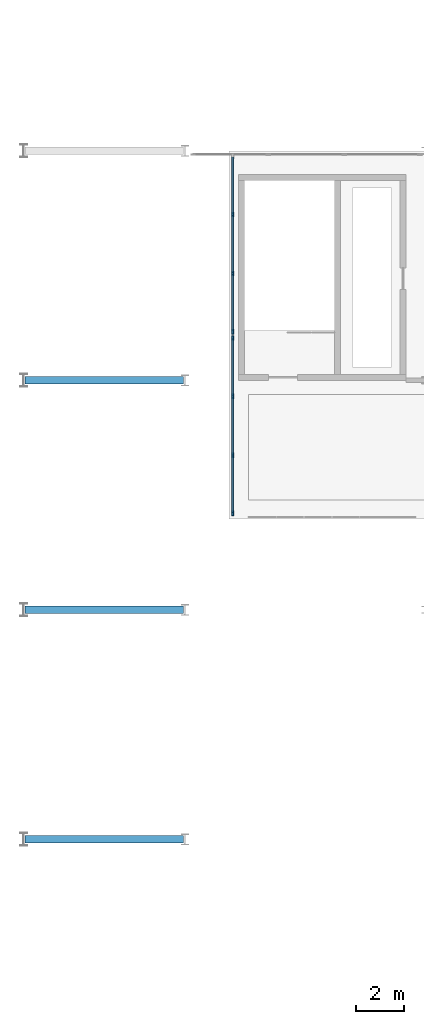
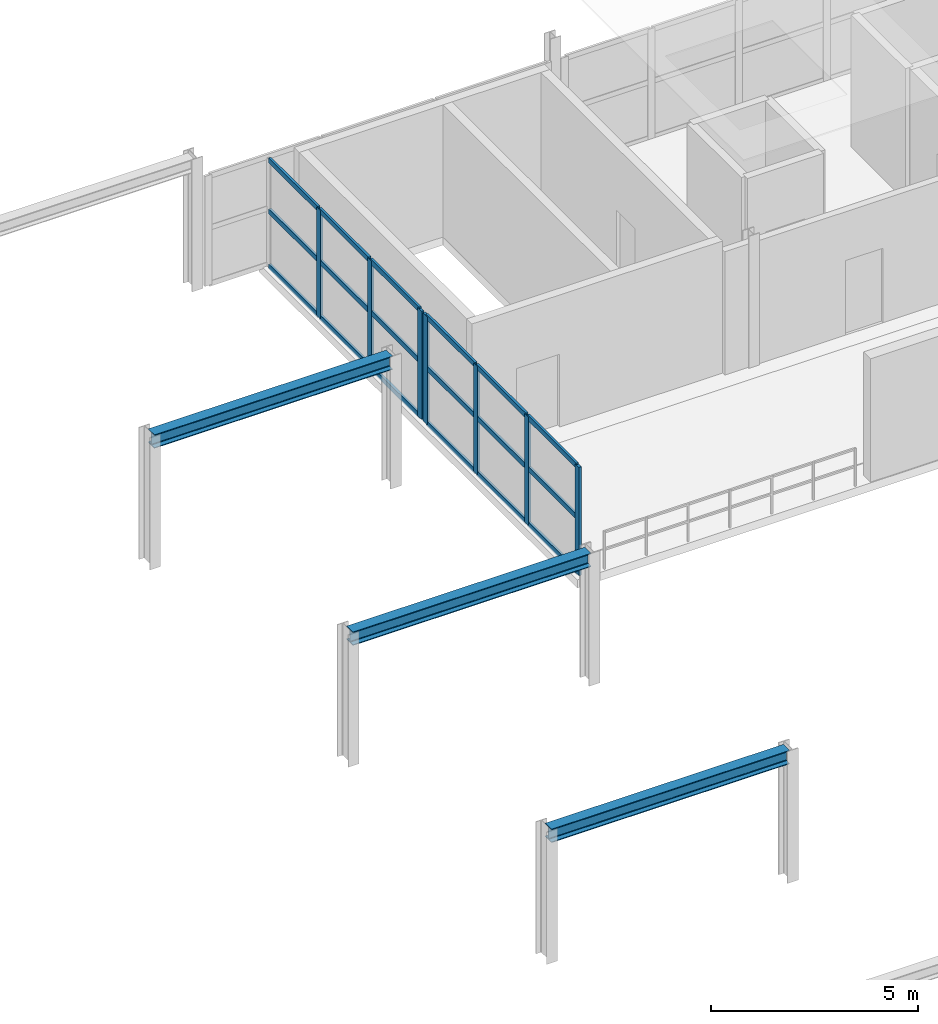
# One storey, part 20 of 52: 25 members, 3 beams, 2 elements without a shape of their own.
"""IFC4 building model written with IfcOpenShell, lengths in metres."""

from ifc_helpers import new_model, si_unit, direction, frame, origin, origin_2d, place, context, subcontext, project, spatial, rectangle, i_section, extrude, material, layer, layer_set, material_profile, profile_set, type_object, element, aggregate, save


model = new_model("IFC4")

# Units and contexts
model_context = context("Model", 3, precision=1e-05, world=origin(), true_north=direction((0.0, 1.0)))
body_context = subcontext(model_context, "Body", "Model", "MODEL_VIEW")
ifc_project = project(units=[si_unit("LENGTHUNIT", "METRE"), si_unit("AREAUNIT", "SQUARE_METRE"), si_unit("VOLUMEUNIT", "CUBIC_METRE"), si_unit("PLANEANGLEUNIT", "RADIAN"), si_unit("MASSUNIT", "GRAM", prefix="KILO")], contexts=[model_context])

# Site, building, storey
site_placement = place(None, origin())
site = spatial("IfcSite", under=ifc_project, at=site_placement, CompositionType="ELEMENT")
building_placement = place(site_placement, origin())
building = spatial("IfcBuilding", under=site, at=building_placement, Name="Myrtia Square Station", CompositionType="ELEMENT")
storey_placement = place(building_placement, frame((0.0, 0.0, 15.0)))
storey = spatial("IfcBuildingStorey", under=building, at=storey_placement, Name="L03", CompositionType="ELEMENT", Elevation=15.0)

# Beams
ifc_material_1 = material(Name="Steel S355", Category="steel")
ifc_material_profile_1 = material_profile(ifc_material_1, i_section(OverallWidth=0.300048828125, OverallDepth=0.39990234375, WebThickness=0.013427734375, FlangeThickness=0.02392578125, FilletRadius=0.027099609375, at=origin_2d()), Name="HEB 400")
ifc_profile_set_1 = profile_set([ifc_material_profile_1], Name="Steel S355")
beam_type = type_object("IfcBeamType", Name="BM-HEB400", PredefinedType="BEAM", material=ifc_profile_set_1)
for number, where, z_axis, x_axis, name in (
    (1, (72.64990234375, 67.199951171875, 3.64990234375), (1.0, 0.0, 0.0), (0.0, 1.0, 0.0), "Colonnade overhang tie beam 015"),
    (2, (72.64990234375, 76.800048828125, 3.64990234375), (1.0, 0.0, 0.0), (0.0, 1.0, 0.0), "Colonnade overhang tie beam 019"),
    (3, (72.64990234375, 86.39990234375, 3.64990234375), (1.0, 0.0, 0.0), (0.0, 1.0, 0.0), "Colonnade overhang tie beam 023"),
):
    element("IfcBeam", number, at=place(storey_placement, frame(where, z_axis=z_axis, x_axis=x_axis)), inside=storey, type_object=beam_type, Name=name, PredefinedType="BEAM", context=body_context, shape_type="SweptSolid", body=[
        extrude(i_section(OverallWidth=0.300048828125, OverallDepth=0.39990234375, WebThickness=0.013427734375, FlangeThickness=0.02392578125, FilletRadius=0.027099609375, at=origin_2d()), origin(), (0.0, 0.0, 1.0), 6.650146484375),
    ])

# Curtain wall, members
ifc_material_2 = material(Name="Dark bronze anodised aluminium", Category="aluminium")
ifc_layer = layer(ifc_material_2, 0.159912109375, Name="Dark bronze anodised aluminium")
ifc_layer_set = layer_set([ifc_layer], Name="Dark bronze anodised aluminium")
curtain_wall_type = type_object("IfcCurtainWallType", Name="CW-TYPE-07-740x320", PredefinedType="USERDEFINED", material=ifc_layer_set)
curtain_wall_1_placement = place(storey_placement, origin())
curtain_wall_1 = element("IfcCurtainWall", 4, at=curtain_wall_1_placement, inside=storey, type_object=curtain_wall_type, Name="Concourse curtain wall CW-L03-037", ObjectType="CONCOURSE CURTAIN WALL", PredefinedType="USERDEFINED")
ifc_material_profile_2 = material_profile(ifc_material_2, rectangle(XDim=0.06494140625, YDim=0.199951171875, at=origin_2d()), Name="ALU-M 65x200")
ifc_profile_set_2 = profile_set([ifc_material_profile_2], Name="Dark bronze anodised aluminium")
member_type_1 = type_object("IfcMemberType", Name="CWM-65x200", PredefinedType="MULLION", material=ifc_profile_set_2)
member_1_placement = place(storey_placement, frame((81.35009765625, 80.83251953125, 0.0), z_axis=(0.0, 0.0, 1.0), x_axis=(-1.0, 0.0, 0.0)))
member_1 = element("IfcMember", 5, at=member_1_placement, type_object=member_type_1, Name="CW-037 mullion 1", PredefinedType="MULLION", context=body_context, shape_type="SweptSolid", body=[
    extrude(rectangle(XDim=0.06494140625, YDim=0.199951171875, at=origin_2d()), origin(), (0.0, 0.0, 1.0), 3.199951171875),
])
member_2_placement = place(storey_placement, frame((81.35009765625, 83.2666015625, 0.0), z_axis=(0.0, 0.0, 1.0), x_axis=(-1.0, 0.0, 0.0)))
member_2 = element("IfcMember", 6, at=member_2_placement, type_object=member_type_1, Name="CW-037 mullion 2", PredefinedType="MULLION", context=body_context, shape_type="SweptSolid", body=[
    extrude(rectangle(XDim=0.06494140625, YDim=0.199951171875, at=origin_2d()), origin(), (0.0, 0.0, 1.0), 3.199951171875),
])
member_3_placement = place(storey_placement, frame((81.35009765625, 85.7333984375, 0.0), z_axis=(0.0, 0.0, 1.0), x_axis=(-1.0, 0.0, 0.0)))
member_3 = element("IfcMember", 7, at=member_3_placement, type_object=member_type_1, Name="CW-037 mullion 3", PredefinedType="MULLION", context=body_context, shape_type="SweptSolid", body=[
    extrude(rectangle(XDim=0.06494140625, YDim=0.199951171875, at=origin_2d()), origin(), (0.0, 0.0, 1.0), 3.199951171875),
])
member_4_placement = place(storey_placement, frame((81.35009765625, 88.16748046875, 0.0), z_axis=(0.0, 0.0, 1.0), x_axis=(-1.0, 0.0, 0.0)))
member_4 = element("IfcMember", 8, at=member_4_placement, type_object=member_type_1, Name="CW-037 mullion 4", PredefinedType="MULLION", context=body_context, shape_type="SweptSolid", body=[
    extrude(rectangle(XDim=0.06494140625, YDim=0.199951171875, at=origin_2d()), origin(), (0.0, 0.0, 1.0), 3.199951171875),
])

curtain_wall_2_placement = place(storey_placement, origin())
curtain_wall_2 = element("IfcCurtainWall", 9, at=curtain_wall_2_placement, inside=storey, type_object=curtain_wall_type, Name="Concourse curtain wall CW-L03-039", ObjectType="CONCOURSE CURTAIN WALL", PredefinedType="USERDEFINED")
member_5_placement = place(storey_placement, frame((81.35009765625, 88.4326171875, 0.0), z_axis=(0.0, 0.0, 1.0), x_axis=(-1.0, 0.0, 0.0)))
member_5 = element("IfcMember", 10, at=member_5_placement, type_object=member_type_1, Name="CW-039 mullion 1", PredefinedType="MULLION", context=body_context, shape_type="SweptSolid", body=[
    extrude(rectangle(XDim=0.06494140625, YDim=0.199951171875, at=origin_2d()), origin(), (0.0, 0.0, 1.0), 3.199951171875),
])
member_6_placement = place(storey_placement, frame((81.35009765625, 90.86669921875, 0.0), z_axis=(0.0, 0.0, 1.0), x_axis=(-1.0, 0.0, 0.0)))
member_6 = element("IfcMember", 11, at=member_6_placement, type_object=member_type_1, Name="CW-039 mullion 2", PredefinedType="MULLION", context=body_context, shape_type="SweptSolid", body=[
    extrude(rectangle(XDim=0.06494140625, YDim=0.199951171875, at=origin_2d()), origin(), (0.0, 0.0, 1.0), 3.199951171875),
])
member_7_placement = place(storey_placement, frame((81.35009765625, 93.333251953125, 0.0), z_axis=(0.0, 0.0, 1.0), x_axis=(-1.0, 0.0, 0.0)))
member_7 = element("IfcMember", 12, at=member_7_placement, type_object=member_type_1, Name="CW-039 mullion 3", PredefinedType="MULLION", context=body_context, shape_type="SweptSolid", body=[
    extrude(rectangle(XDim=0.06494140625, YDim=0.199951171875, at=origin_2d()), origin(), (0.0, 0.0, 1.0), 3.199951171875),
])

# Member
ifc_material_profile_3 = material_profile(ifc_material_2, rectangle(XDim=0.06494140625, YDim=0.14990234375, at=origin_2d()), Name="ALU-T 65x150")
ifc_profile_set_3 = profile_set([ifc_material_profile_3], Name="Dark bronze anodised aluminium")
member_type_2 = type_object("IfcMemberType", Name="CWT-65x150", PredefinedType="USERDEFINED", material=ifc_profile_set_3)
member_8_placement = place(storey_placement, frame((81.35009765625, 80.864990234375, 0.032470703125), z_axis=(0.0, 1.0, 0.0), x_axis=(-1.0, 0.0, 0.0)))
member_8 = element("IfcMember", 13, at=member_8_placement, type_object=member_type_2, Name="CW-037 transom 1.1", ObjectType="TRANSOM", PredefinedType="USERDEFINED", context=body_context, shape_type="SweptSolid", body=[
    extrude(rectangle(XDim=0.06494140625, YDim=0.14990234375, at=origin_2d()), origin(), (0.0, 0.0, 1.0), 2.369140625),
])

member_9_placement = place(storey_placement, frame((81.35009765625, 80.864990234375, 1.6640625), z_axis=(0.0, 1.0, 0.0), x_axis=(-1.0, 0.0, 0.0)))
member_9 = element("IfcMember", 14, at=member_9_placement, type_object=member_type_2, Name="CW-037 transom 1.2", ObjectType="TRANSOM", PredefinedType="USERDEFINED", context=body_context, shape_type="SweptSolid", body=[
    extrude(rectangle(XDim=0.06494140625, YDim=0.14990234375, at=origin_2d()), origin(), (0.0, 0.0, 1.0), 2.369140625),
])

member_10_placement = place(storey_placement, frame((81.35009765625, 80.864990234375, 3.16748046875), z_axis=(0.0, 1.0, 0.0), x_axis=(-1.0, 0.0, 0.0)))
member_10 = element("IfcMember", 15, at=member_10_placement, type_object=member_type_2, Name="CW-037 transom 1.3", ObjectType="TRANSOM", PredefinedType="USERDEFINED", context=body_context, shape_type="SweptSolid", body=[
    extrude(rectangle(XDim=0.06494140625, YDim=0.14990234375, at=origin_2d()), origin(), (0.0, 0.0, 1.0), 2.369140625),
])

member_11_placement = place(storey_placement, frame((81.35009765625, 83.299072265625, 0.032470703125), z_axis=(0.0, 1.0, 0.0), x_axis=(-1.0, 0.0, 0.0)))
member_11 = element("IfcMember", 16, at=member_11_placement, type_object=member_type_2, Name="CW-037 transom 2.1", ObjectType="TRANSOM", PredefinedType="USERDEFINED", context=body_context, shape_type="SweptSolid", body=[
    extrude(rectangle(XDim=0.06494140625, YDim=0.14990234375, at=origin_2d()), origin(), (0.0, 0.0, 1.0), 2.40185546875),
])

member_12_placement = place(storey_placement, frame((81.35009765625, 83.299072265625, 1.6640625), z_axis=(0.0, 1.0, 0.0), x_axis=(-1.0, 0.0, 0.0)))
member_12 = element("IfcMember", 17, at=member_12_placement, type_object=member_type_2, Name="CW-037 transom 2.2", ObjectType="TRANSOM", PredefinedType="USERDEFINED", context=body_context, shape_type="SweptSolid", body=[
    extrude(rectangle(XDim=0.06494140625, YDim=0.14990234375, at=origin_2d()), origin(), (0.0, 0.0, 1.0), 2.40185546875),
])

member_13_placement = place(storey_placement, frame((81.35009765625, 83.299072265625, 3.16748046875), z_axis=(0.0, 1.0, 0.0), x_axis=(-1.0, 0.0, 0.0)))
member_13 = element("IfcMember", 18, at=member_13_placement, type_object=member_type_2, Name="CW-037 transom 2.3", ObjectType="TRANSOM", PredefinedType="USERDEFINED", context=body_context, shape_type="SweptSolid", body=[
    extrude(rectangle(XDim=0.06494140625, YDim=0.14990234375, at=origin_2d()), origin(), (0.0, 0.0, 1.0), 2.40185546875),
])

member_14_placement = place(storey_placement, frame((81.35009765625, 85.765869140625, 0.032470703125), z_axis=(0.0, 1.0, 0.0), x_axis=(-1.0, 0.0, 0.0)))
member_14 = element("IfcMember", 19, at=member_14_placement, type_object=member_type_2, Name="CW-037 transom 3.1", ObjectType="TRANSOM", PredefinedType="USERDEFINED", context=body_context, shape_type="SweptSolid", body=[
    extrude(rectangle(XDim=0.06494140625, YDim=0.14990234375, at=origin_2d()), origin(), (0.0, 0.0, 1.0), 2.369140625),
])

member_15_placement = place(storey_placement, frame((81.35009765625, 85.765869140625, 1.6640625), z_axis=(0.0, 1.0, 0.0), x_axis=(-1.0, 0.0, 0.0)))
member_15 = element("IfcMember", 20, at=member_15_placement, type_object=member_type_2, Name="CW-037 transom 3.2", ObjectType="TRANSOM", PredefinedType="USERDEFINED", context=body_context, shape_type="SweptSolid", body=[
    extrude(rectangle(XDim=0.06494140625, YDim=0.14990234375, at=origin_2d()), origin(), (0.0, 0.0, 1.0), 2.369140625),
])

member_16_placement = place(storey_placement, frame((81.35009765625, 85.765869140625, 3.16748046875), z_axis=(0.0, 1.0, 0.0), x_axis=(-1.0, 0.0, 0.0)))
member_16 = element("IfcMember", 21, at=member_16_placement, type_object=member_type_2, Name="CW-037 transom 3.3", ObjectType="TRANSOM", PredefinedType="USERDEFINED", context=body_context, shape_type="SweptSolid", body=[
    extrude(rectangle(XDim=0.06494140625, YDim=0.14990234375, at=origin_2d()), origin(), (0.0, 0.0, 1.0), 2.369140625),
])

aggregate(curtain_wall_1, [member_1, member_2, member_3, member_4, member_8, member_9, member_10, member_11, member_12, member_13, member_14, member_15, member_16])

member_17_placement = place(storey_placement, frame((81.35009765625, 88.465087890625, 0.032470703125), z_axis=(0.0, 1.0, 0.0), x_axis=(-1.0, 0.0, 0.0)))
member_17 = element("IfcMember", 22, at=member_17_placement, type_object=member_type_2, Name="CW-039 transom 1.1", ObjectType="TRANSOM", PredefinedType="USERDEFINED", context=body_context, shape_type="SweptSolid", body=[
    extrude(rectangle(XDim=0.06494140625, YDim=0.14990234375, at=origin_2d()), origin(), (0.0, 0.0, 1.0), 2.369140625),
])

member_18_placement = place(storey_placement, frame((81.35009765625, 88.465087890625, 1.6640625), z_axis=(0.0, 1.0, 0.0), x_axis=(-1.0, 0.0, 0.0)))
member_18 = element("IfcMember", 23, at=member_18_placement, type_object=member_type_2, Name="CW-039 transom 1.2", ObjectType="TRANSOM", PredefinedType="USERDEFINED", context=body_context, shape_type="SweptSolid", body=[
    extrude(rectangle(XDim=0.06494140625, YDim=0.14990234375, at=origin_2d()), origin(), (0.0, 0.0, 1.0), 2.369140625),
])

member_19_placement = place(storey_placement, frame((81.35009765625, 88.465087890625, 3.16748046875), z_axis=(0.0, 1.0, 0.0), x_axis=(-1.0, 0.0, 0.0)))
member_19 = element("IfcMember", 24, at=member_19_placement, type_object=member_type_2, Name="CW-039 transom 1.3", ObjectType="TRANSOM", PredefinedType="USERDEFINED", context=body_context, shape_type="SweptSolid", body=[
    extrude(rectangle(XDim=0.06494140625, YDim=0.14990234375, at=origin_2d()), origin(), (0.0, 0.0, 1.0), 2.369140625),
])

member_20_placement = place(storey_placement, frame((81.35009765625, 90.899169921875, 0.032470703125), z_axis=(0.0, 1.0, 0.0), x_axis=(-1.0, 0.0, 0.0)))
member_20 = element("IfcMember", 25, at=member_20_placement, type_object=member_type_2, Name="CW-039 transom 2.1", ObjectType="TRANSOM", PredefinedType="USERDEFINED", context=body_context, shape_type="SweptSolid", body=[
    extrude(rectangle(XDim=0.06494140625, YDim=0.14990234375, at=origin_2d()), origin(), (0.0, 0.0, 1.0), 2.401611328125),
])

member_21_placement = place(storey_placement, frame((81.35009765625, 90.899169921875, 1.6640625), z_axis=(0.0, 1.0, 0.0), x_axis=(-1.0, 0.0, 0.0)))
member_21 = element("IfcMember", 26, at=member_21_placement, type_object=member_type_2, Name="CW-039 transom 2.2", ObjectType="TRANSOM", PredefinedType="USERDEFINED", context=body_context, shape_type="SweptSolid", body=[
    extrude(rectangle(XDim=0.06494140625, YDim=0.14990234375, at=origin_2d()), origin(), (0.0, 0.0, 1.0), 2.401611328125),
])

member_22_placement = place(storey_placement, frame((81.35009765625, 90.899169921875, 3.16748046875), z_axis=(0.0, 1.0, 0.0), x_axis=(-1.0, 0.0, 0.0)))
member_22 = element("IfcMember", 27, at=member_22_placement, type_object=member_type_2, Name="CW-039 transom 2.3", ObjectType="TRANSOM", PredefinedType="USERDEFINED", context=body_context, shape_type="SweptSolid", body=[
    extrude(rectangle(XDim=0.06494140625, YDim=0.14990234375, at=origin_2d()), origin(), (0.0, 0.0, 1.0), 2.401611328125),
])

member_23_placement = place(storey_placement, frame((81.35009765625, 93.36572265625, 0.032470703125), z_axis=(0.0, 1.0, 0.0), x_axis=(-1.0, 0.0, 0.0)))
member_23 = element("IfcMember", 28, at=member_23_placement, type_object=member_type_2, Name="CW-039 transom 3.1", ObjectType="TRANSOM", PredefinedType="USERDEFINED", context=body_context, shape_type="SweptSolid", body=[
    extrude(rectangle(XDim=0.06494140625, YDim=0.14990234375, at=origin_2d()), origin(), (0.0, 0.0, 1.0), 2.369384765625),
])

member_24_placement = place(storey_placement, frame((81.35009765625, 93.36572265625, 1.6640625), z_axis=(0.0, 1.0, 0.0), x_axis=(-1.0, 0.0, 0.0)))
member_24 = element("IfcMember", 29, at=member_24_placement, type_object=member_type_2, Name="CW-039 transom 3.2", ObjectType="TRANSOM", PredefinedType="USERDEFINED", context=body_context, shape_type="SweptSolid", body=[
    extrude(rectangle(XDim=0.06494140625, YDim=0.14990234375, at=origin_2d()), origin(), (0.0, 0.0, 1.0), 2.369384765625),
])

member_25_placement = place(storey_placement, frame((81.35009765625, 93.36572265625, 3.16748046875), z_axis=(0.0, 1.0, 0.0), x_axis=(-1.0, 0.0, 0.0)))
member_25 = element("IfcMember", 30, at=member_25_placement, type_object=member_type_2, Name="CW-039 transom 3.3", ObjectType="TRANSOM", PredefinedType="USERDEFINED", context=body_context, shape_type="SweptSolid", body=[
    extrude(rectangle(XDim=0.06494140625, YDim=0.14990234375, at=origin_2d()), origin(), (0.0, 0.0, 1.0), 2.369384765625),
])

aggregate(curtain_wall_2, [member_5, member_6, member_7, member_17, member_18, member_19, member_20, member_21, member_22, member_23, member_24, member_25])

save(model, "model.ifc")
